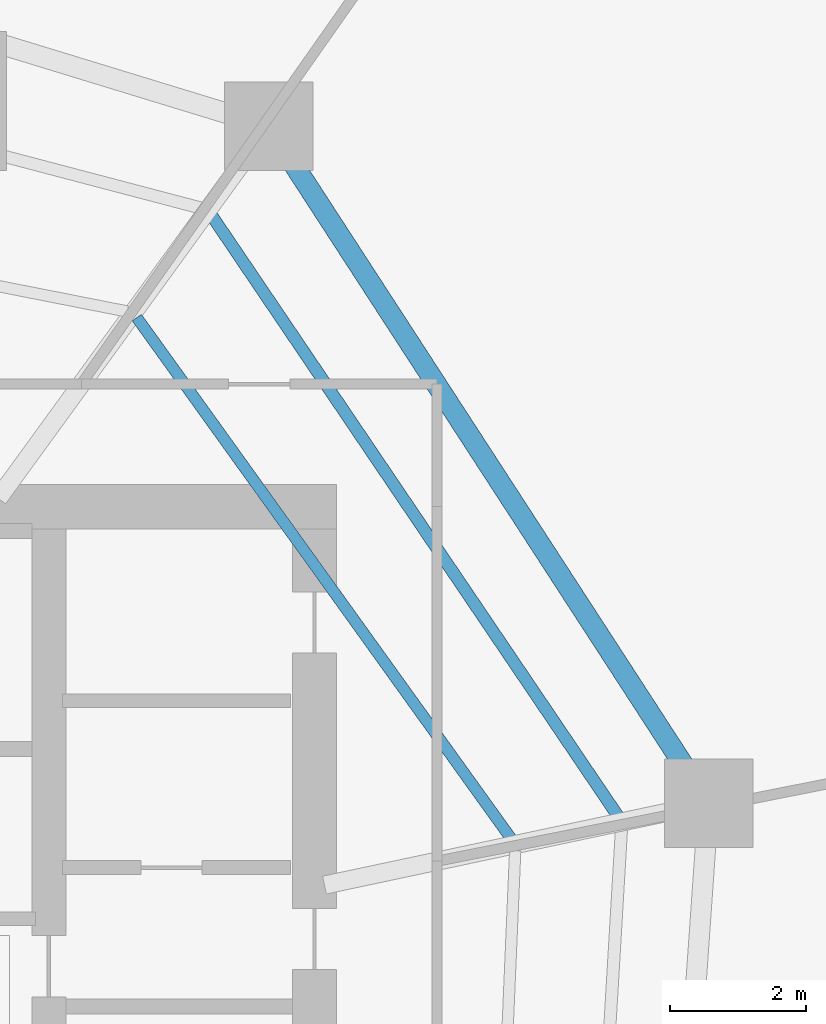
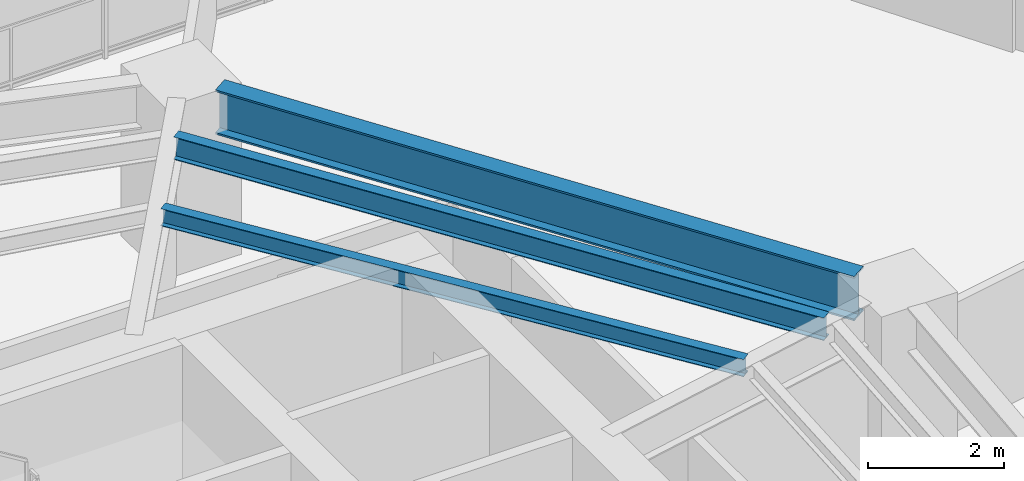
# One storey, part 22 of 31: 3 beams.
"""IFC4 building model written with IfcOpenShell, lengths in metres."""

from ifc_helpers import new_model, si_unit, direction, frame, origin, origin_2d, place, context, subcontext, project, spatial, i_section, extrude, material, material_profile, profile_set, type_object, element, save


model = new_model("IFC4")

# Units and contexts
model_context = context("Model", 3, precision=1e-05, world=origin(), true_north=direction((0.0, 1.0)))
body_context = subcontext(model_context, "Body", "Model", "MODEL_VIEW")
ifc_project = project(units=[si_unit("LENGTHUNIT", "METRE"), si_unit("AREAUNIT", "SQUARE_METRE"), si_unit("VOLUMEUNIT", "CUBIC_METRE"), si_unit("PLANEANGLEUNIT", "RADIAN"), si_unit("MASSUNIT", "GRAM", prefix="KILO")], contexts=[model_context])

# Site, building, storey
site_placement = place(None, origin())
site = spatial("IfcSite", under=ifc_project, at=site_placement, CompositionType="ELEMENT")
building_placement = place(site_placement, origin())
building = spatial("IfcBuilding", under=site, at=building_placement, Name="Qarnah Convention Tower", CompositionType="ELEMENT")
storey_placement = place(building_placement, frame((0.0, 0.0, 68.39990234375)))
storey = spatial("IfcBuildingStorey", under=building, at=storey_placement, Name="L17", CompositionType="ELEMENT", Elevation=68.39990234375)

# Beams
ifc_material = material(Name="Structural steel S355JR", Category="steel")
ifc_material_profile_1 = material_profile(ifc_material, i_section(OverallWidth=0.166015625, OverallDepth=0.31201171875, WebThickness=0.007080078125, FlangeThickness=0.010986328125, at=origin_2d()), Name="W310X45")
ifc_profile_set_1 = profile_set([ifc_material_profile_1], Name="Structural steel S355JR")
beam_type_1 = type_object("IfcBeamType", Name="BM-JST-W310", PredefinedType="JOIST", material=ifc_profile_set_1)
beam_1_placement = place(storey_placement, frame((50.4990234375, 29.31103515625, 2.93408203125), z_axis=(-0.583503875683, 0.812110353993, 0.0), x_axis=(-0.812110353993, -0.583503875683, 0.0)))
element("IfcBeam", 1, at=beam_1_placement, inside=storey, type_object=beam_type_1, Name="L17 joist BM-L17-IJST-01", PredefinedType="JOIST", context=body_context, shape_type="SweptSolid", body=[
    extrude(i_section(OverallWidth=0.166015625, OverallDepth=0.31201171875, WebThickness=0.007080078125, FlangeThickness=0.010986328125, at=origin_2d()), origin(), (0.0, 0.0, 1.0), 9.439697265625),
])
ifc_material_profile_2 = material_profile(ifc_material, i_section(OverallWidth=0.177978515625, OverallDepth=0.407958984375, WebThickness=0.008056640625, FlangeThickness=0.012939453125, at=origin_2d()), Name="W410X60")
ifc_profile_set_2 = profile_set([ifc_material_profile_2], Name="Structural steel S355JR")
beam_type_2 = type_object("IfcBeamType", Name="BM-JST-W410", PredefinedType="JOIST", material=ifc_profile_set_2)
beam_2_placement = place(storey_placement, frame((52.06494140625, 29.64501953125, 2.885986328125), z_axis=(-0.560357375218, 0.828250935429, 0.0), x_axis=(-0.828250935429, -0.560357375218, 0.0)))
element("IfcBeam", 2, at=beam_2_placement, inside=storey, type_object=beam_type_2, Name="L17 joist BM-L17-SJST-01", PredefinedType="JOIST", context=body_context, shape_type="SweptSolid", body=[
    extrude(i_section(OverallWidth=0.177978515625, OverallDepth=0.407958984375, WebThickness=0.008056640625, FlangeThickness=0.012939453125, at=origin_2d()), origin(), (0.0, 0.0, 1.0), 10.671630859375),
])
ifc_material_profile_3 = material_profile(ifc_material, i_section(OverallWidth=0.300048828125, OverallDepth=0.800048828125, WebThickness=0.01806640625, FlangeThickness=0.032958984375, at=origin_2d()), Name="HEB800")
ifc_profile_set_3 = profile_set([ifc_material_profile_3], Name="Structural steel S355JR")
beam_type_3 = type_object("IfcBeamType", Name="BM-RING-HEB800", PredefinedType="BEAM", material=ifc_profile_set_3)
beam_3_placement = place(storey_placement, frame((53.0390625, 30.3779296875, 2.690185546875), z_axis=(-0.544579515688, 0.838709217246, 0.0), x_axis=(-0.838709217246, -0.544579515688, 0.0)))
element("IfcBeam", 3, at=beam_3_placement, inside=storey, type_object=beam_type_3, Name="L17 beam BM-L17-SPN-01", PredefinedType="BEAM", context=body_context, shape_type="SweptSolid", body=[
    extrude(i_section(OverallWidth=0.300048828125, OverallDepth=0.800048828125, WebThickness=0.01806640625, FlangeThickness=0.032958984375, at=origin_2d()), origin(), (0.0, 0.0, 1.0), 10.58056640625),
])

save(model, "model.ifc")
